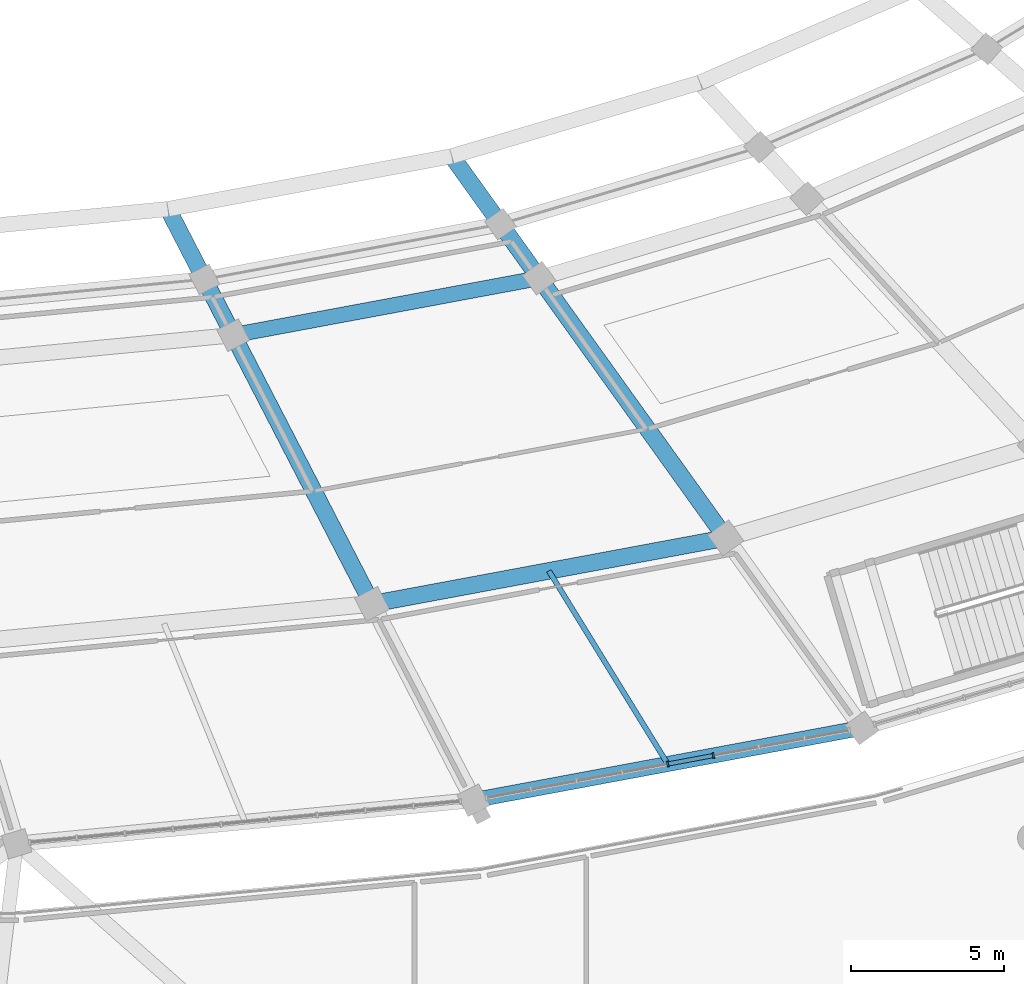
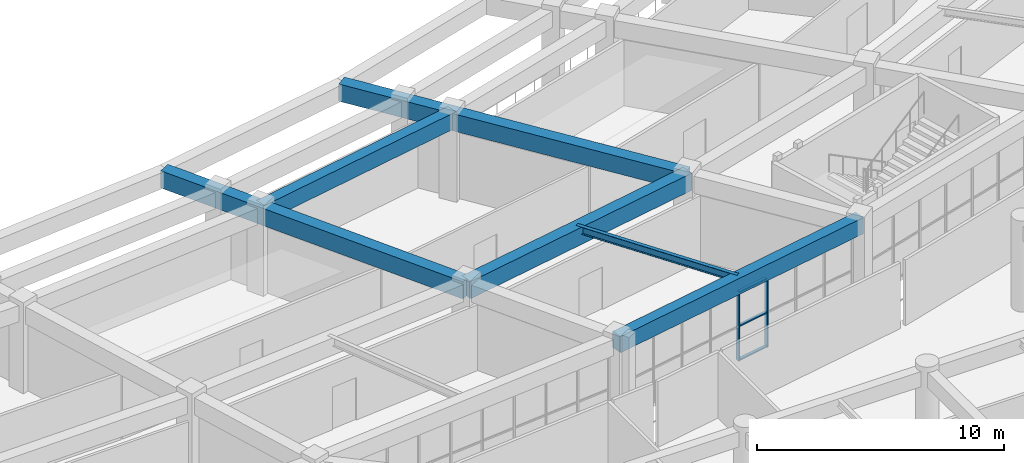
# One storey, part 35 of 145: 6 beams, 5 members, 1 element without a shape of its own.
"""IFC4 building model written with IfcOpenShell, lengths in metres."""

from ifc_helpers import new_model, si_unit, direction, frame, origin, origin_2d, place, context, subcontext, project, spatial, rectangle, i_section, extrude, material, layer, layer_set, material_profile, profile_set, type_object, element, aggregate, save


model = new_model("IFC4")

# Units and contexts
model_context = context("Model", 3, precision=1e-05, world=origin(), true_north=direction((0.0, 1.0)))
body_context = subcontext(model_context, "Body", "Model", "MODEL_VIEW")
ifc_project = project(units=[si_unit("LENGTHUNIT", "METRE"), si_unit("AREAUNIT", "SQUARE_METRE"), si_unit("VOLUMEUNIT", "CUBIC_METRE"), si_unit("PLANEANGLEUNIT", "RADIAN"), si_unit("MASSUNIT", "GRAM", prefix="KILO")], contexts=[model_context])

# Site, building, storey
site_placement = place(None, origin())
site = spatial("IfcSite", under=ifc_project, at=site_placement, CompositionType="ELEMENT")
building_placement = place(site_placement, origin())
building = spatial("IfcBuilding", under=site, at=building_placement, Name="Mphavela Belvedere Stadium", CompositionType="ELEMENT")
storey_placement = place(building_placement, frame((0.0, 0.0, 10.199951171875)))
storey = spatial("IfcBuildingStorey", under=building, at=storey_placement, Name="L02", CompositionType="ELEMENT", Elevation=10.199951171875)

# Beams
ifc_material_1 = material(Name="Steel S355", Category="steel")
ifc_material_profile_1 = material_profile(ifc_material_1, i_section(OverallWidth=0.169921875, OverallDepth=0.360107421875, WebThickness=0.008056640625, FlangeThickness=0.0126953125, at=origin_2d()), Name="IPE 360")
ifc_profile_set_1 = profile_set([ifc_material_profile_1], Name="Steel S355")
beam_type_1 = type_object("IfcBeamType", Name="BM-JOIST-IPE360", PredefinedType="JOIST", material=ifc_profile_set_1)
beam_1_placement = place(storey_placement, frame((154.544189453125, 22.743408203125, 4.070068359375), z_axis=(0.524121267204, -0.851643644528, 0.0), x_axis=(0.851643644528, 0.524121267204, 0.0)))
element("IfcBeam", 1, at=beam_1_placement, inside=storey, type_object=beam_type_1, Name="Concourse floor joist L02-39", PredefinedType="JOIST", context=body_context, shape_type="SweptSolid", body=[
    extrude(i_section(OverallWidth=0.169921875, OverallDepth=0.360107421875, WebThickness=0.008056640625, FlangeThickness=0.0126953125, at=origin_2d()), origin(), (0.0, 0.0, 1.0), 7.42724609375),
])
ifc_material_2 = material(Name="Concrete C40/50", Category="concrete")
ifc_material_profile_2 = material_profile(ifc_material_2, rectangle(XDim=0.5, YDim=0.800048828125, at=origin_2d()), Name="RC 500x800")
ifc_profile_set_2 = profile_set([ifc_material_profile_2], Name="Concrete C40/50")
beam_type_2 = type_object("IfcBeamType", Name="BM-RC500x800", PredefinedType="BEAM", material=ifc_profile_set_2)
beam_2_placement = place(storey_placement, frame((144.20361328125, 30.46630859375, 3.85009765625), z_axis=(0.983098802226, 0.183075790485, 0.0), x_axis=(-0.183075790485, 0.983098802226, 0.0)))
element("IfcBeam", 2, at=beam_2_placement, inside=storey, type_object=beam_type_2, Name="Circumferential girder L02 R2-39", PredefinedType="BEAM", context=body_context, shape_type="SweptSolid", body=[
    extrude(rectangle(XDim=0.5, YDim=0.800048828125, at=origin_2d()), origin(), (0.0, 0.0, 1.0), 10.198974609375),
])
ifc_material_3 = material(Name="Concrete C40/50", Category="concrete")
ifc_material_profile_3 = material_profile(ifc_material_3, rectangle(XDim=0.550048828125, YDim=0.85009765625, at=origin_2d()), Name="RC 550x850")
ifc_profile_set_3 = profile_set([ifc_material_profile_3], Name="Concrete C40/50")
beam_type_3 = type_object("IfcBeamType", Name="BM-RC550x850", PredefinedType="BEAM", material=ifc_profile_set_3)
beam_3_placement = place(storey_placement, frame((148.750244140625, 21.66455078125, 3.824951171875), z_axis=(0.983097725009, 0.18308157494, 0.0), x_axis=(-0.18308157494, 0.983097725009, 0.0)))
element("IfcBeam", 3, at=beam_3_placement, inside=storey, type_object=beam_type_3, Name="Circumferential girder L02 R3-39", PredefinedType="BEAM", context=body_context, shape_type="SweptSolid", body=[
    extrude(rectangle(XDim=0.550048828125, YDim=0.85009765625, at=origin_2d()), origin(), (0.0, 0.0, 1.0), 11.786865234375),
])
beam_4_placement = place(storey_placement, frame((142.0703125, 34.59619140625, 3.824951171875), z_axis=(0.458943261437, -0.888465577713, 0.0), x_axis=(0.888465577713, 0.458943261437, 0.0)))
element("IfcBeam", 4, at=beam_4_placement, inside=storey, type_object=beam_type_3, Name="Upper tier box-front outrigger girder 39", PredefinedType="BEAM", context=body_context, shape_type="SweptSolid", body=[
    extrude(rectangle(XDim=0.550048828125, YDim=0.85009765625, at=origin_2d()), origin(), (0.0, 0.0, 1.0), 14.554931640625),
])
beam_5_placement = place(storey_placement, frame((151.3642578125, 36.3271484375, 3.824951171875), z_axis=(0.583032856155, -0.812448575999, 0.0), x_axis=(0.812448575999, 0.583032856155, 0.0)))
element("IfcBeam", 5, at=beam_5_placement, inside=storey, type_object=beam_type_3, Name="Upper tier box-front outrigger girder 40", PredefinedType="BEAM", context=body_context, shape_type="SweptSolid", body=[
    extrude(rectangle(XDim=0.550048828125, YDim=0.85009765625, at=origin_2d()), origin(), (0.0, 0.0, 1.0), 15.391357421875),
])
ifc_material_4 = material(Name="Concrete C40/50", Category="concrete")
ifc_material_profile_4 = material_profile(ifc_material_4, rectangle(XDim=0.5, YDim=0.800048828125, at=origin_2d()), Name="RC 500x800")
ifc_profile_set_4 = profile_set([ifc_material_profile_4], Name="Concrete C40/50")
beam_type_4 = type_object("IfcBeamType", Name="BM-SPANDREL-800", PredefinedType="SPANDREL", material=ifc_profile_set_4)
beam_6_placement = place(storey_placement, frame((152.07275390625, 15.232666015625, 3.85009765625), z_axis=(0.983098571421, 0.183077029882, 0.0), x_axis=(-0.183077029882, 0.983098571421, 0.0)))
element("IfcBeam", 6, at=beam_6_placement, inside=storey, type_object=beam_type_4, Name="Circumferential girder L02 R4-39", PredefinedType="SPANDREL", context=body_context, shape_type="SweptSolid", body=[
    extrude(rectangle(XDim=0.5, YDim=0.800048828125, at=origin_2d()), origin(), (0.0, 0.0, 1.0), 12.947265625),
])

# Curtain wall, members
ifc_material_5 = material(Name="Anodised bronze unitised curtain wall framing")
ifc_layer = layer(ifc_material_5, 0.205078125)
ifc_layer_set = layer_set([ifc_layer], Name="Anodised bronze unitised curtain wall framing")
curtain_wall_type = type_object("IfcCurtainWallType", Name="CW-UNIT-06", PredefinedType="USERDEFINED", material=ifc_layer_set)
curtain_wall_placement = place(storey_placement, origin())
curtain_wall = element("IfcCurtainWall", 7, at=curtain_wall_placement, inside=storey, type_object=curtain_wall_type, Name="Belvedere colonnade curtain wall L02-39", ObjectType="UNITISED CURTAIN WALL", PredefinedType="USERDEFINED")
ifc_material_6 = material(Name="Anodised bronze extruded aluminium", Category="aluminium")
ifc_material_profile_5 = material_profile(ifc_material_6, rectangle(XDim=0.179931640625, YDim=0.06494140625, at=origin_2d()), Name="CW-MUL 180x65")
ifc_profile_set_5 = profile_set([ifc_material_profile_5], Name="Anodised bronze extruded aluminium")
member_type_1 = type_object("IfcMemberType", Name="CWM-180x65", PredefinedType="MULLION", material=ifc_profile_set_5)
member_1_placement = place(storey_placement, frame((158.43701171875, 16.41796875, 0.0), z_axis=(0.0, 0.0, 1.0), x_axis=(-0.1830849431, 0.983097097753, 0.0)))
member_1 = element("IfcMember", 8, at=member_1_placement, type_object=member_type_1, Name="CW-06 mullion 5", PredefinedType="MULLION", context=body_context, shape_type="SweptSolid", body=[
    extrude(rectangle(XDim=0.179931640625, YDim=0.06494140625, at=origin_2d()), origin(), (0.0, 0.0, 1.0), 3.420166015625),
])
member_2_placement = place(storey_placement, frame((159.93017578125, 16.696044921875, 0.0), z_axis=(0.0, 0.0, 1.0), x_axis=(-0.1830849431, 0.983097097753, 0.0)))
member_2 = element("IfcMember", 9, at=member_2_placement, type_object=member_type_1, Name="CW-06 mullion 6", PredefinedType="MULLION", context=body_context, shape_type="SweptSolid", body=[
    extrude(rectangle(XDim=0.179931640625, YDim=0.06494140625, at=origin_2d()), origin(), (0.0, 0.0, 1.0), 3.420166015625),
])
ifc_material_7 = material(Name="Anodised bronze extruded aluminium", Category="aluminium")
ifc_material_profile_6 = material_profile(ifc_material_7, rectangle(XDim=0.139892578125, YDim=0.06005859375, at=origin_2d()), Name="CW-TRN 140x60")
ifc_profile_set_6 = profile_set([ifc_material_profile_6], Name="Anodised bronze extruded aluminium")
member_type_2 = type_object("IfcMemberType", Name="CWT-140x60", PredefinedType="USERDEFINED", material=ifc_profile_set_6)
member_3_placement = place(storey_placement, frame((158.468994140625, 16.423828125, 0.030029296875), z_axis=(0.983103351692, 0.183051358617, 0.0), x_axis=(-0.183051358617, 0.983103351692, 0.0)))
member_3 = element("IfcMember", 10, at=member_3_placement, type_object=member_type_2, Name="CW-06 transom 5.1", ObjectType="TRANSOM", PredefinedType="USERDEFINED", context=body_context, shape_type="SweptSolid", body=[
    extrude(rectangle(XDim=0.139892578125, YDim=0.06005859375, at=origin_2d()), origin(), (0.0, 0.0, 1.0), 1.453857421875),
])
member_4_placement = place(storey_placement, frame((158.468994140625, 16.423828125, 1.7099609375), z_axis=(0.983103351692, 0.183051358617, 0.0), x_axis=(-0.183051358617, 0.983103351692, 0.0)))
member_4 = element("IfcMember", 11, at=member_4_placement, type_object=member_type_2, Name="CW-06 transom 5.2", ObjectType="TRANSOM", PredefinedType="USERDEFINED", context=body_context, shape_type="SweptSolid", body=[
    extrude(rectangle(XDim=0.139892578125, YDim=0.06005859375, at=origin_2d()), origin(), (0.0, 0.0, 1.0), 1.453857421875),
])
member_5_placement = place(storey_placement, frame((158.468994140625, 16.423828125, 3.39013671875), z_axis=(0.983103351692, 0.183051358617, 0.0), x_axis=(-0.183051358617, 0.983103351692, 0.0)))
member_5 = element("IfcMember", 12, at=member_5_placement, type_object=member_type_2, Name="CW-06 transom 5.3", ObjectType="TRANSOM", PredefinedType="USERDEFINED", context=body_context, shape_type="SweptSolid", body=[
    extrude(rectangle(XDim=0.139892578125, YDim=0.06005859375, at=origin_2d()), origin(), (0.0, 0.0, 1.0), 1.453857421875),
])
aggregate(curtain_wall, [member_1, member_2, member_3, member_4, member_5])

save(model, "model.ifc")
